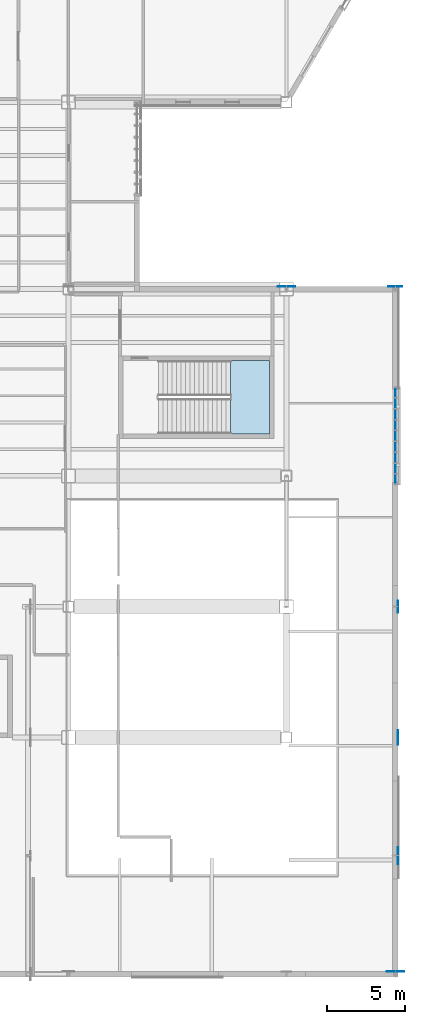
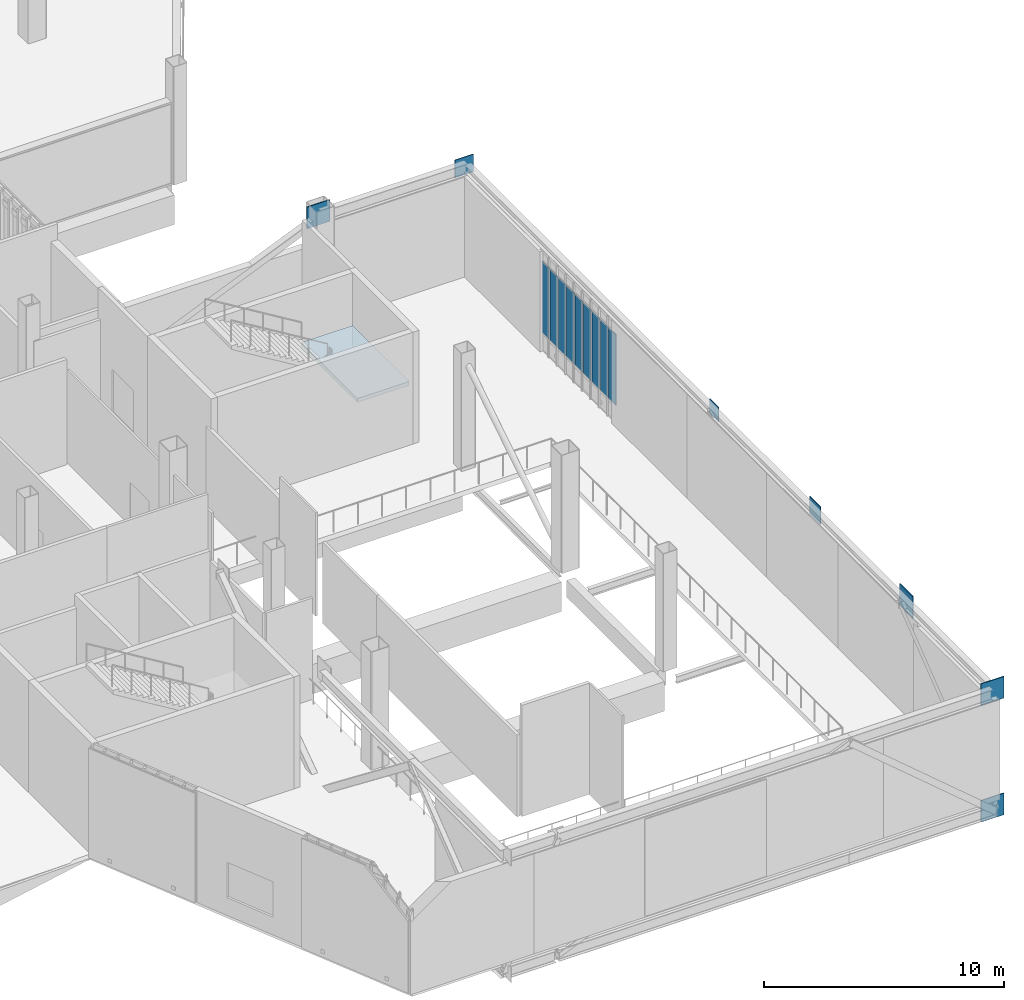
# One storey, part 80 of 135: 16 plates, 1 slab, 2 elements without a shape of their own.
"""IFC4 building model written with IfcOpenShell, lengths in metres."""

from ifc_helpers import new_model, si_unit, direction, frame, origin, origin_2d, place, context, subcontext, project, spatial, polyline, rectangle, outline, extrude, material, layer, layer_set, type_object, element, aggregate, save


model = new_model("IFC4")

# Units and contexts
model_context = context("Model", 3, precision=1e-05, world=origin(), true_north=direction((0.0, 1.0)))
body_context = subcontext(model_context, "Body", "Model", "MODEL_VIEW")
ifc_project = project(units=[si_unit("LENGTHUNIT", "METRE"), si_unit("AREAUNIT", "SQUARE_METRE"), si_unit("VOLUMEUNIT", "CUBIC_METRE"), si_unit("PLANEANGLEUNIT", "RADIAN"), si_unit("MASSUNIT", "GRAM", prefix="KILO")], contexts=[model_context])

# Site, building, storey
site_placement = place(None, origin())
site = spatial("IfcSite", under=ifc_project, at=site_placement, CompositionType="ELEMENT")
building_placement = place(site_placement, origin())
building = spatial("IfcBuilding", under=site, at=building_placement, Name="Larkvane Passage Sports Hall", CompositionType="ELEMENT")
storey_placement = place(building_placement, frame((0.0, 0.0, 10.800048828125)))
storey = spatial("IfcBuildingStorey", under=building, at=storey_placement, Name="L02", CompositionType="ELEMENT", Elevation=10.800048828125)

# Curtain wall, plates
ifc_material_1 = material(Name="Thermally broken aluminium and low-E glazing", Category="aluminium")
curtain_wall_type = type_object("IfcCurtainWallType", Name="CW-UNIT-COURT", PredefinedType="USERDEFINED", material=ifc_material_1)
curtain_wall_placement = place(storey_placement, origin())
curtain_wall = element("IfcCurtainWall", 1, at=curtain_wall_placement, inside=storey, type_object=curtain_wall_type, Name="Curtain wall CW5-L02-072", ObjectType="UNITISED CURTAIN WALL", PredefinedType="USERDEFINED")
ifc_material_2 = material(Name="Solar-control low-E double glazing", Category="glass")
ifc_layer_1 = layer(ifc_material_2, 0.028076171875)
ifc_layer_set_1 = layer_set([ifc_layer_1], Name="Solar-control low-E double glazing")
plate_type_1 = type_object("IfcPlateType", Name="CWP-VIS-28", PredefinedType="CURTAIN_PANEL", material=ifc_layer_set_1)
plate_1_placement = place(storey_placement, frame((152.60009765625, 44.94873046875, 0.88232421875), z_axis=(0.0, 0.0, 1.0), x_axis=(0.0, -1.0, 0.0)))
plate_1 = element("IfcPlate", 2, at=plate_1_placement, type_object=plate_type_1, Name="CW-01 panel 1.2", PredefinedType="CURTAIN_PANEL", context=body_context, shape_type="SweptSolid", body=[
    extrude(rectangle(XDim=0.600830078125, YDim=0.028076171875, at=origin_2d()), origin(), (0.0, 0.0, 1.0), 3.614990234375),
])
plate_2_placement = place(storey_placement, frame((152.60009765625, 44.2666015625, 0.88232421875), z_axis=(0.0, 0.0, 1.0), x_axis=(0.0, -1.0, 0.0)))
plate_2 = element("IfcPlate", 3, at=plate_2_placement, type_object=plate_type_1, Name="CW-01 panel 2.2", PredefinedType="CURTAIN_PANEL", context=body_context, shape_type="SweptSolid", body=[
    extrude(rectangle(XDim=0.63330078125, YDim=0.028076171875, at=origin_2d()), origin(), (0.0, 0.0, 1.0), 3.614990234375),
])
plate_3_placement = place(storey_placement, frame((152.60009765625, 43.568359375, 0.88232421875), z_axis=(0.0, 0.0, 1.0), x_axis=(0.0, -1.0, 0.0)))
plate_3 = element("IfcPlate", 4, at=plate_3_placement, type_object=plate_type_1, Name="CW-01 panel 3.2", PredefinedType="CURTAIN_PANEL", context=body_context, shape_type="SweptSolid", body=[
    extrude(rectangle(XDim=0.63330078125, YDim=0.028076171875, at=origin_2d()), origin(), (0.0, 0.0, 1.0), 3.614990234375),
])
plate_4_placement = place(storey_placement, frame((152.60009765625, 42.869873046875, 0.88232421875), z_axis=(0.0, 0.0, 1.0), x_axis=(0.0, -1.0, 0.0)))
plate_4 = element("IfcPlate", 5, at=plate_4_placement, type_object=plate_type_1, Name="CW-01 panel 4.2", PredefinedType="CURTAIN_PANEL", context=body_context, shape_type="SweptSolid", body=[
    extrude(rectangle(XDim=0.63330078125, YDim=0.028076171875, at=origin_2d()), origin(), (0.0, 0.0, 1.0), 3.614990234375),
])
plate_5_placement = place(storey_placement, frame((152.60009765625, 42.17138671875, 0.88232421875), z_axis=(0.0, 0.0, 1.0), x_axis=(0.0, -1.0, 0.0)))
plate_5 = element("IfcPlate", 6, at=plate_5_placement, type_object=plate_type_1, Name="CW-01 panel 5.2", PredefinedType="CURTAIN_PANEL", context=body_context, shape_type="SweptSolid", body=[
    extrude(rectangle(XDim=0.63330078125, YDim=0.028076171875, at=origin_2d()), origin(), (0.0, 0.0, 1.0), 3.614990234375),
])
plate_6_placement = place(storey_placement, frame((152.60009765625, 41.47314453125, 0.88232421875), z_axis=(0.0, 0.0, 1.0), x_axis=(0.0, -1.0, 0.0)))
plate_6 = element("IfcPlate", 7, at=plate_6_placement, type_object=plate_type_1, Name="CW-01 panel 6.2", PredefinedType="CURTAIN_PANEL", context=body_context, shape_type="SweptSolid", body=[
    extrude(rectangle(XDim=0.63330078125, YDim=0.028076171875, at=origin_2d()), origin(), (0.0, 0.0, 1.0), 3.614990234375),
])
plate_7_placement = place(storey_placement, frame((152.60009765625, 40.774658203125, 0.88232421875), z_axis=(0.0, 0.0, 1.0), x_axis=(0.0, -1.0, 0.0)))
plate_7 = element("IfcPlate", 8, at=plate_7_placement, type_object=plate_type_1, Name="CW-01 panel 7.2", PredefinedType="CURTAIN_PANEL", context=body_context, shape_type="SweptSolid", body=[
    extrude(rectangle(XDim=0.63330078125, YDim=0.028076171875, at=origin_2d()), origin(), (0.0, 0.0, 1.0), 3.614990234375),
])
plate_8_placement = place(storey_placement, frame((152.60009765625, 40.076171875, 0.88232421875), z_axis=(0.0, 0.0, 1.0), x_axis=(0.0, -1.0, 0.0)))
plate_8 = element("IfcPlate", 9, at=plate_8_placement, type_object=plate_type_1, Name="CW-01 panel 8.2", PredefinedType="CURTAIN_PANEL", context=body_context, shape_type="SweptSolid", body=[
    extrude(rectangle(XDim=0.63330078125, YDim=0.028076171875, at=origin_2d()), origin(), (0.0, 0.0, 1.0), 3.614990234375),
])
plate_9_placement = place(storey_placement, frame((152.60009765625, 39.39404296875, 0.88232421875), z_axis=(0.0, 0.0, 1.0), x_axis=(0.0, -1.0, 0.0)))
plate_9 = element("IfcPlate", 10, at=plate_9_placement, type_object=plate_type_1, Name="CW-01 panel 9.2", PredefinedType="CURTAIN_PANEL", context=body_context, shape_type="SweptSolid", body=[
    extrude(rectangle(XDim=0.600830078125, YDim=0.028076171875, at=origin_2d()), origin(), (0.0, 0.0, 1.0), 3.614990234375),
])
aggregate(curtain_wall, [plate_1, plate_2, plate_3, plate_4, plate_5, plate_6, plate_7, plate_8, plate_9])

# Plates
ifc_material_3 = material(Name="Steel S460N", Category="steel")
ifc_layer_2 = layer(ifc_material_3, 0.02392578125)
ifc_layer_set_2 = layer_set([ifc_layer_2], Name="Steel S460N")
plate_type_2 = type_object("IfcPlateType", Name="PLT-GUS-24", PredefinedType="USERDEFINED", material=ifc_layer_set_2)
plate_10_placement = place(storey_placement, frame((152.761962890625, 31.199951171875, 5.010986328125), z_axis=(0.0, 0.0, 1.0), x_axis=(0.0, 1.0, 0.0)))
element("IfcPlate", 11, at=plate_10_placement, inside=storey, type_object=plate_type_2, Name="Truss node gusset plate ND-4T (CT-S2A-2)", ObjectType="GUSSET PLATE", PredefinedType="USERDEFINED", context=body_context, shape_type="SweptSolid", body=[
    extrude(rectangle(XDim=0.75, YDim=0.02392578125, at=origin_2d()), origin(), (0.0, 0.0, 1.0), 0.75),
])
ifc_layer_3 = layer(ifc_material_3, 0.031982421875)
ifc_layer_set_3 = layer_set([ifc_layer_3], Name="Steel S460N")
plate_type_3 = type_object("IfcPlateType", Name="PLT-GUS-32", PredefinedType="USERDEFINED", material=ifc_layer_set_3)
for number, where, z_axis, x_axis, name in (
    (12, (152.60009765625, 51.76611328125, 4.93603515625), (0.0, 0.0, 1.0), (1.0, 0.0, 0.0), "Truss node gusset plate ND-3T (CT-E2A-2)"),
    (13, (152.76611328125, 22.800048828125, 4.93603515625), (0.0, 0.0, 1.0), (0.0, 1.0, 0.0), "Truss node gusset plate ND-3T (CT-S2A-2)"),
):
    element("IfcPlate", number, at=place(storey_placement, frame(where, z_axis=z_axis, x_axis=x_axis)), inside=storey, type_object=plate_type_3, Name=name, ObjectType="GUSSET PLATE", PredefinedType="USERDEFINED", context=body_context, shape_type="SweptSolid", body=[
        extrude(rectangle(XDim=0.89990234375, YDim=0.031982421875, at=origin_2d()), origin(), (0.0, 0.0, 1.0), 0.89990234375),
    ])
ifc_layer_4 = layer(ifc_material_3, 0.0400390625)
ifc_layer_set_4 = layer_set([ifc_layer_4], Name="Steel S460N")
plate_type_4 = type_object("IfcPlateType", Name="PLT-GUS-40", PredefinedType="USERDEFINED", material=ifc_layer_set_4)
for number, where, z_axis, x_axis, name in (
    (14, (152.60009765625, 7.77001953125, -1.093994140625), (0.0, 0.0, 1.0), (1.0, 0.0, 0.0), "Truss node gusset plate ND-3B (CT-E2A-1)"),
    (15, (152.60009765625, 7.77001953125, 4.8359375), (0.0, 0.0, 1.0), (1.0, 0.0, 0.0), "Truss node gusset plate ND-3T (CT-E2A-1)"),
    (16, (145.60009765625, 51.77001953125, 4.8359375), (0.0, 0.0, 1.0), (1.0, 0.0, 0.0), "Truss node gusset plate ND-2T (CT-E2A-2)"),
    (17, (152.77001953125, 15.199951171875, 4.8359375), (0.0, 0.0, 1.0), (0.0, 1.0, 0.0), "Truss node gusset plate ND-2T (CT-S2A-2)"),
):
    element("IfcPlate", number, at=place(storey_placement, frame(where, z_axis=z_axis, x_axis=x_axis)), inside=storey, type_object=plate_type_4, Name=name, ObjectType="GUSSET PLATE", PredefinedType="USERDEFINED", context=body_context, shape_type="SweptSolid", body=[
        extrude(rectangle(XDim=1.10009765625, YDim=0.0400390625, at=origin_2d()), origin(), (0.0, 0.0, 1.0), 1.10009765625),
    ])

# Stair, slab
ifc_material_4 = material(Name="Concrete C40/50", Category="concrete")
stair_type = type_object("IfcStairType", Name="STR-CORE-2250", PredefinedType="HALF_TURN_STAIR", material=ifc_material_4)
stair_placement = place(storey_placement, origin())
stair = element("IfcStair", 18, at=stair_placement, inside=storey, type_object=stair_type, Name="L02 Protected exit stair ST-07", PredefinedType="HALF_TURN_STAIR")
ifc_layer_5 = layer(ifc_material_4, 0.199951171875)
ifc_layer_set_5 = layer_set([ifc_layer_5], Name="Concrete C40/50")
slab_type = type_object("IfcSlabType", Name="SLB-LAND-200", PredefinedType="LANDING", material=ifc_layer_set_5)
slab_placement = place(storey_placement, frame((0.0, 0.0, 2.800048828125)))
slab = element("IfcSlab", 19, at=slab_placement, type_object=slab_type, Name="ST-07 landing 1", PredefinedType="LANDING", context=body_context, shape_type="SweptSolid", body=[
    extrude(outline(polyline([(142.02001953125, 42.300048828125), (144.5, 42.300048828125), (144.5, 47.0), (142.02001953125, 47.0), (142.02001953125, 42.300048828125)])), origin(), (0.0, 0.0, 1.0), 0.199951171875),
])
aggregate(stair, [slab])

save(model, "model.ifc")
